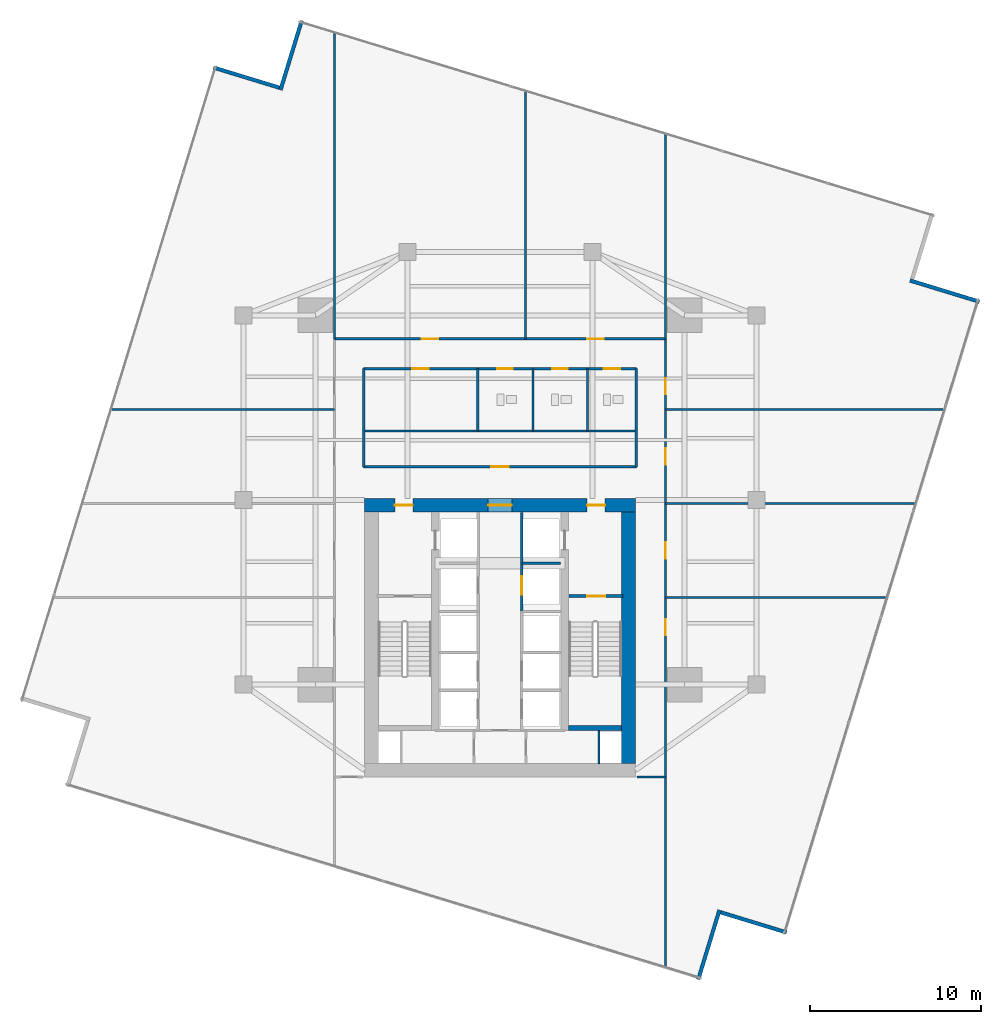
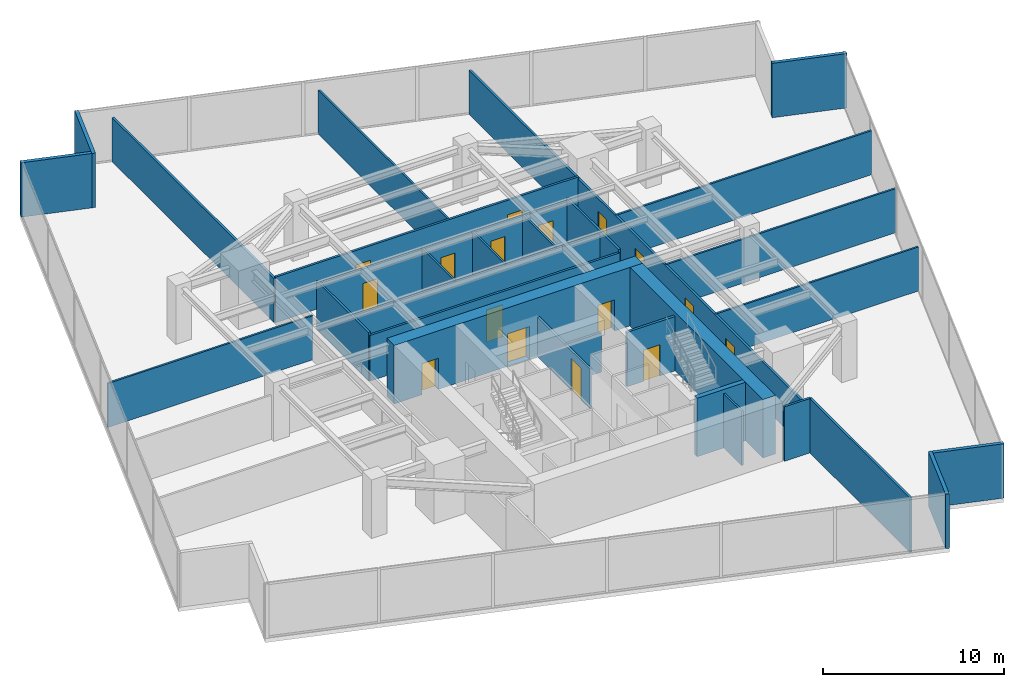
# One storey, part 23 of 26: 31 walls, 16 doors, 16 openings.
"""IFC4 building model written with IfcOpenShell, lengths in metres."""

from ifc_helpers import new_model, si_unit, direction, frame, frame_2d, origin, place, context, subcontext, project, spatial, rectangle, extrude, material, layer, layer_set, type_object, element, fill, save


model = new_model("IFC4")

# Units and contexts
model_context = context("Model", 3, precision=1e-05, world=origin(), true_north=direction((0.0, 1.0)))
body_context = subcontext(model_context, "Body", "Model", "MODEL_VIEW")
ifc_project = project(units=[si_unit("LENGTHUNIT", "METRE"), si_unit("AREAUNIT", "SQUARE_METRE"), si_unit("VOLUMEUNIT", "CUBIC_METRE"), si_unit("PLANEANGLEUNIT", "RADIAN"), si_unit("MASSUNIT", "GRAM", prefix="KILO")], contexts=[model_context])

# Site, building, storey
site_placement = place(None, origin())
site = spatial("IfcSite", under=ifc_project, at=site_placement, CompositionType="ELEMENT")
building_placement = place(site_placement, origin())
building = spatial("IfcBuilding", under=site, at=building_placement, Name="Krantzveldt Concourse Tower", CompositionType="ELEMENT")
storey_placement = place(building_placement, frame((0.0, 0.0, 109.800048828125)))
storey = spatial("IfcBuildingStorey", under=building, at=storey_placement, Name="L26", CompositionType="ELEMENT", Elevation=109.800048828125)

# Walls
ifc_material_1 = material(Name="Anodised aluminium 6063-T6", Category="aluminium")
ifc_layer_1 = layer(ifc_material_1, 0.219970703125, Name="Anodised aluminium 6063-T6", Category="aluminium")
ifc_layer_set_1 = layer_set([ifc_layer_1], Name="Anodised aluminium 6063-T6 (WL-EXT-NOTCH220)")
wall_type_1 = type_object("IfcWallType", Name="WL-EXT-NOTCH220", PredefinedType="ELEMENTEDWALL", material=ifc_layer_set_1)
wall_1_placement = place(storey_placement, frame((23.087646484375, 50.819091796875, 0.0), z_axis=(0.0, 0.0, 1.0), x_axis=(-0.956307298529, 0.292363388235, 0.0)))
element("IfcWall", 1, at=wall_1_placement, inside=storey, type_object=wall_type_1, Name="EW-L26-NCH00", PredefinedType="ELEMENTEDWALL", context=body_context, shape_type="SweptSolid", body=[
    extrude(rectangle(XDim=4.02490234375, YDim=0.219970703125, at=frame_2d((2.012451171875, 0.0))), origin(), (0.0, 0.0, 1.0), 3.669921875),
])
wall_2_placement = place(storey_placement, frame((47.598388671875, -1.34130859375, 0.0), z_axis=(0.0, 0.0, 1.0), x_axis=(0.292335425197, 0.956315846975, 0.0)))
element("IfcWall", 2, at=wall_2_placement, inside=storey, type_object=wall_type_1, Name="EW-L26-NCH05", PredefinedType="ELEMENTEDWALL", context=body_context, shape_type="SweptSolid", body=[
    extrude(rectangle(XDim=4.2451171875, YDim=0.219970703125, at=frame_2d((2.12255859375, 0.0))), origin(), (0.0, 0.0, 1.0), 3.669921875),
])
wall_3_placement = place(storey_placement, frame((48.912353515625, 2.580810546875, 0.0), z_axis=(0.0, 0.0, 1.0), x_axis=(0.956307298529, -0.292363388235, 0.0)))
element("IfcWall", 3, at=wall_3_placement, inside=storey, type_object=wall_type_1, Name="EW-L26-NCH06", PredefinedType="ELEMENTEDWALL", context=body_context, shape_type="SweptSolid", body=[
    extrude(rectangle(XDim=4.02490234375, YDim=0.219970703125, at=frame_2d((2.012451171875, 0.0))), origin(), (0.0, 0.0, 1.0), 3.669921875),
])
wall_4_placement = place(storey_placement, frame((64.041259765625, 38.29833984375, 0.0), z_axis=(0.0, 0.0, 1.0), x_axis=(-0.95629976735, 0.292388021242, 0.0)))
element("IfcWall", 4, at=wall_4_placement, inside=storey, type_object=wall_type_1, Name="EW-L26-NCH08", PredefinedType="ELEMENTEDWALL", context=body_context, shape_type="SweptSolid", body=[
    extrude(rectangle(XDim=4.2451171875, YDim=0.219970703125, at=frame_2d((2.12255859375, 0.0))), origin(), (0.0, 0.0, 1.0), 3.669921875),
])
wall_5_placement = place(storey_placement, frame((24.401611328125, 54.7412109375, 0.0), z_axis=(0.0, 0.0, 1.0), x_axis=(-0.292351504488, -0.956310931561, 0.0)))
element("IfcWall", 5, at=wall_5_placement, inside=storey, type_object=wall_type_1, Name="EW-L26-NCH11", PredefinedType="ELEMENTEDWALL", context=body_context, shape_type="SweptSolid", body=[
    extrude(rectangle(XDim=4.244873046875, YDim=0.219970703125, at=frame_2d((2.12255859375, 0.0))), origin(), (0.0, 0.0, 1.0), 3.669921875),
])
ifc_material_2 = material(Name="Fire-rated gypsum plasterboard on steel stud", Category="steel")
ifc_layer_2 = layer(ifc_material_2, 0.1201171875, Name="Fire-rated gypsum plasterboard on steel stud", Category="steel")
ifc_layer_set_2 = layer_set([ifc_layer_2], Name="Fire-rated gypsum plasterboard on steel stud (WL-PART-120)")
wall_type_2 = type_object("IfcWallType", Name="WL-PART-120", PredefinedType="PARTITIONING", material=ifc_layer_set_2)
wall_6_placement = place(storey_placement, frame((28.02001953125, 30.739990234375, 0.0), z_axis=(0.0, 0.0, 1.0), x_axis=(1.0, 0.0, 0.0)))
element("IfcWall", 6, at=wall_6_placement, inside=storey, type_object=wall_type_2, Name="WP-L26-ISLM", PredefinedType="PARTITIONING", context=body_context, shape_type="SweptSolid", body=[
    extrude(rectangle(XDim=15.9599609375, YDim=0.1201171875, at=frame_2d((7.97998046875, 0.0))), origin(), (0.0, 0.0, 1.0), 3.079833984375),
])
for number, where, z_axis, x_axis, name in (
    (7, (37.919921875, 30.739990234375, 0.0), (0.0, 0.0, 1.0), (0.0, 1.0, 0.0), "WP-L26-WCD1"),
    (8, (41.1201171875, 30.739990234375, 0.0), (0.0, 0.0, 1.0), (0.0, 1.0, 0.0), "WP-L26-WCD2"),
    (9, (34.699951171875, 30.739990234375, 0.0), (0.0, 0.0, 1.0), (0.0, 1.0, 0.0), "WP-L26-WCD3"),
):
    element("IfcWall", number, at=place(storey_placement, frame(where, z_axis=z_axis, x_axis=x_axis)), inside=storey, type_object=wall_type_2, Name=name, PredefinedType="PARTITIONING", context=body_context, shape_type="SweptSolid", body=[
        extrude(rectangle(XDim=3.639892578125, YDim=0.1201171875, at=frame_2d((1.81982421875, 0.0))), origin(), (0.0, 0.0, 1.0), 3.169921875),
    ])
wall_7_placement = place(storey_placement, frame((37.5, 36.1201171875, 0.0), z_axis=(0.0, 0.0, 1.0), x_axis=(0.0, 1.0, 0.0)))
element("IfcWall", 10, at=wall_7_placement, inside=storey, type_object=wall_type_2, Name="WP-L26-ND1", PredefinedType="PARTITIONING", context=body_context, shape_type="SweptSolid", body=[
    extrude(rectangle(XDim=14.496337890625, YDim=0.1201171875, at=frame_2d((7.248046875, 0.0))), origin(), (0.0, 0.0, 1.0), 2.969970703125),
])
wall_8_placement = place(storey_placement, frame((13.245361328125, 32.0, 0.0), z_axis=(0.0, 0.0, 1.0), x_axis=(1.0, 0.0, 0.0)))
element("IfcWall", 11, at=wall_8_placement, inside=storey, type_object=wall_type_2, Name="WP-L26-WD3", PredefinedType="PARTITIONING", context=body_context, shape_type="SweptSolid", body=[
    extrude(rectangle(XDim=13.07470703125, YDim=0.1201171875, at=frame_2d((6.537353515625, 0.0))), origin(), (0.0, 0.0, 1.0), 2.969970703125),
])
wall_9_placement = place(storey_placement, frame((45.679931640625, 21.0, 0.0), z_axis=(0.0, 0.0, 1.0), x_axis=(1.0, 0.0, 0.0)))
element("IfcWall", 12, at=wall_9_placement, inside=storey, type_object=wall_type_2, Name="WP-L26-ED1", PredefinedType="PARTITIONING", context=body_context, shape_type="SweptSolid", body=[
    extrude(rectangle(XDim=12.952392578125, YDim=0.1201171875, at=frame_2d((6.47607421875, 0.0))), origin(), (0.0, 0.0, 1.0), 2.969970703125),
])
wall_10_placement = place(storey_placement, frame((45.679931640625, 26.5, 0.0), z_axis=(0.0, 0.0, 1.0), x_axis=(1.0, 0.0, 0.0)))
element("IfcWall", 13, at=wall_10_placement, inside=storey, type_object=wall_type_2, Name="WP-L26-ED2", PredefinedType="PARTITIONING", context=body_context, shape_type="SweptSolid", body=[
    extrude(rectangle(XDim=14.634033203125, YDim=0.1201171875, at=frame_2d((7.31689453125, 0.0))), origin(), (0.0, 0.0, 1.0), 2.969970703125),
])
wall_11_placement = place(storey_placement, frame((45.679931640625, 32.0, 0.0), z_axis=(0.0, 0.0, 1.0), x_axis=(1.0, 0.0, 0.0)))
element("IfcWall", 14, at=wall_11_placement, inside=storey, type_object=wall_type_2, Name="WP-L26-ED3", PredefinedType="PARTITIONING", context=body_context, shape_type="SweptSolid", body=[
    extrude(rectangle(XDim=16.3154296875, YDim=0.1201171875, at=frame_2d((8.15771484375, 0.0))), origin(), (0.0, 0.0, 1.0), 2.969970703125),
])

# Wall, opening, door
ifc_layer_3 = layer(ifc_material_2, 0.139892578125, Name="Fire-rated gypsum plasterboard on steel stud", Category="steel")
ifc_layer_set_3 = layer_set([ifc_layer_3], Name="Fire-rated gypsum plasterboard on steel stud (WL-PART-140)")
wall_type_3 = type_object("IfcWallType", Name="WL-PART-140", PredefinedType="PARTITIONING", material=ifc_layer_set_3)
wall_12_placement = place(storey_placement, frame((28.02001953125, 28.639892578125, 0.0), z_axis=(0.0, 0.0, 1.0), x_axis=(1.0, 0.0, 0.0)))
wall_12 = element("IfcWall", 15, at=wall_12_placement, inside=storey, type_object=wall_type_3, Name="WP-L26-ISLS", PredefinedType="PARTITIONING", context=body_context, shape_type="SweptSolid", body=[
    extrude(rectangle(XDim=15.9599609375, YDim=0.139892578125, at=frame_2d((7.97998046875, 0.0))), origin(), (0.0, 0.0, 1.0), 3.079833984375),
])
opening_1_placement = place(wall_12_placement, frame((7.455078125, 0.0, 0.0)))
opening_1 = element("IfcOpeningElement", 16, at=opening_1_placement, cuts=wall_12, Name="Opening D-IN105", PredefinedType="OPENING", context=body_context, shape_type="SweptSolid", body=[
    extrude(rectangle(XDim=1.050048828125, YDim=2.14990234375, at=frame_2d((0.52490234375, 1.074951171875))), frame((0.0, 0.080078125, 0.0), z_axis=(0.0, -1.0, 0.0), x_axis=(1.0, 0.0, 0.0)), (0.0, 0.0, 1.0), 0.159912109375),
])
ifc_material_3 = material(Name="Hardwood timber", Category="wood")
door_type_1 = type_object("IfcDoorType", Name="DR-INT-1050", OperationType="SINGLE_SWING_LEFT", PredefinedType="DOOR", material=ifc_material_3)
door_1_placement = place(opening_1_placement, origin())
door_1 = element("IfcDoor", 17, at=door_1_placement, inside=storey, type_object=door_type_1, Name="DR-L26-MIDB", OperationType="SINGLE_SWING_LEFT", OverallHeight=2.14990234375, OverallWidth=1.050048828125, PredefinedType="DOOR", context=body_context, shape_type="SweptSolid", body=[
    extrude(rectangle(XDim=1.050048828125, YDim=2.14990234375, at=frame_2d((0.52490234375, 1.074951171875))), frame((0.0, 0.02490234375, 0.0), z_axis=(0.0, -1.0, 0.0), x_axis=(1.0, 0.0, 0.0)), (0.0, 0.0, 1.0), 0.050048828125),
])
fill(opening_1, door_1)

# Wall, openings, doors
wall_13_placement = place(storey_placement, frame((28.02001953125, 34.3798828125, 0.0), z_axis=(0.0, 0.0, 1.0), x_axis=(1.0, 0.0, 0.0)))
wall_13 = element("IfcWall", 18, at=wall_13_placement, inside=storey, type_object=wall_type_3, Name="WP-L26-ISLN", PredefinedType="PARTITIONING", context=body_context, shape_type="SweptSolid", body=[
    extrude(rectangle(XDim=15.9599609375, YDim=0.139892578125, at=frame_2d((7.97998046875, 0.0))), origin(), (0.0, 0.0, 1.0), 3.079833984375),
])
opening_2_placement = place(wall_13_placement, frame((7.830078125, 0.0, 0.0)))
opening_2 = element("IfcOpeningElement", 19, at=opening_2_placement, cuts=wall_13, Name="Opening D-IN090", PredefinedType="OPENING", context=body_context, shape_type="SweptSolid", body=[
    extrude(rectangle(XDim=0.89990234375, YDim=2.10009765625, at=frame_2d((0.449951171875, 1.050048828125))), frame((0.0, 0.080078125, 0.0), z_axis=(0.0, -1.0, 0.0), x_axis=(1.0, 0.0, 0.0)), (0.0, 0.0, 1.0), 0.159912109375),
])
opening_3_placement = place(wall_13_placement, frame((11.030029296875, 0.0, 0.0)))
opening_3 = element("IfcOpeningElement", 20, at=opening_3_placement, cuts=wall_13, Name="Opening D-IN090", PredefinedType="OPENING", context=body_context, shape_type="SweptSolid", body=[
    extrude(rectangle(XDim=0.89990234375, YDim=2.10009765625, at=frame_2d((0.449951171875, 1.050048828125))), frame((0.0, 0.080078125, 0.0), z_axis=(0.0, -1.0, 0.0), x_axis=(1.0, 0.0, 0.0)), (0.0, 0.0, 1.0), 0.159912109375),
])
opening_4_placement = place(wall_13_placement, frame((14.054931640625, 0.0, 0.0)))
opening_4 = element("IfcOpeningElement", 21, at=opening_4_placement, cuts=wall_13, Name="Opening D-IN095", PredefinedType="OPENING", context=body_context, shape_type="SweptSolid", body=[
    extrude(rectangle(XDim=0.949951171875, YDim=2.10009765625, at=frame_2d((0.47509765625, 1.050048828125))), frame((0.0, 0.080078125, 0.0), z_axis=(0.0, -1.0, 0.0), x_axis=(1.0, 0.0, 0.0)), (0.0, 0.0, 1.0), 0.159912109375),
])
opening_5_placement = place(wall_13_placement, frame((2.85498046875, 0.0, 0.0)))
opening_5 = element("IfcOpeningElement", 22, at=opening_5_placement, cuts=wall_13, Name="Opening D-IN095", PredefinedType="OPENING", context=body_context, shape_type="SweptSolid", body=[
    extrude(rectangle(XDim=0.949951171875, YDim=2.10009765625, at=frame_2d((0.47509765625, 1.050048828125))), frame((0.0, 0.080078125, 0.0), z_axis=(0.0, -1.0, 0.0), x_axis=(1.0, 0.0, 0.0)), (0.0, 0.0, 1.0), 0.159912109375),
])
door_type_2 = type_object("IfcDoorType", Name="DR-INT-900", OperationType="SINGLE_SWING_LEFT", PredefinedType="DOOR", material=ifc_material_3)
door_2_placement = place(opening_2_placement, origin())
door_2 = element("IfcDoor", 23, at=door_2_placement, inside=storey, type_object=door_type_2, Name="DR-L26-WCM", OperationType="SINGLE_SWING_LEFT", OverallHeight=2.10009765625, OverallWidth=0.89990234375, PredefinedType="DOOR", context=body_context, shape_type="SweptSolid", body=[
    extrude(rectangle(XDim=0.89990234375, YDim=2.10009765625, at=frame_2d((0.449951171875, 1.050048828125))), frame((0.0, 0.02490234375, 0.0), z_axis=(0.0, -1.0, 0.0), x_axis=(1.0, 0.0, 0.0)), (0.0, 0.0, 1.0), 0.050048828125),
])
fill(opening_2, door_2)
door_3_placement = place(opening_3_placement, origin())
door_3 = element("IfcDoor", 24, at=door_3_placement, inside=storey, type_object=door_type_2, Name="DR-L26-WCF", OperationType="SINGLE_SWING_RIGHT", OverallHeight=2.10009765625, OverallWidth=0.89990234375, PredefinedType="DOOR", context=body_context, shape_type="SweptSolid", body=[
    extrude(rectangle(XDim=0.89990234375, YDim=2.10009765625, at=frame_2d((0.449951171875, 1.050048828125))), frame((0.0, 0.02490234375, 0.0), z_axis=(0.0, -1.0, 0.0), x_axis=(1.0, 0.0, 0.0)), (0.0, 0.0, 1.0), 0.050048828125),
])
fill(opening_3, door_3)
door_type_3 = type_object("IfcDoorType", Name="DR-INT-950", OperationType="SINGLE_SWING_LEFT", PredefinedType="DOOR", material=ifc_material_3)
door_4_placement = place(opening_4_placement, origin())
door_4 = element("IfcDoor", 25, at=door_4_placement, inside=storey, type_object=door_type_3, Name="DR-L26-WCA", OperationType="SINGLE_SWING_LEFT", OverallHeight=2.10009765625, OverallWidth=0.949951171875, PredefinedType="DOOR", context=body_context, shape_type="SweptSolid", body=[
    extrude(rectangle(XDim=0.949951171875, YDim=2.10009765625, at=frame_2d((0.47509765625, 1.050048828125))), frame((0.0, 0.02490234375, 0.0), z_axis=(0.0, -1.0, 0.0), x_axis=(1.0, 0.0, 0.0)), (0.0, 0.0, 1.0), 0.050048828125),
])
fill(opening_4, door_4)
door_5_placement = place(opening_5_placement, origin())
door_5 = element("IfcDoor", 26, at=door_5_placement, inside=storey, type_object=door_type_3, Name="DR-L26-PNT", OperationType="SINGLE_SWING_RIGHT", OverallHeight=2.10009765625, OverallWidth=0.949951171875, PredefinedType="DOOR", context=body_context, shape_type="SweptSolid", body=[
    extrude(rectangle(XDim=0.949951171875, YDim=2.10009765625, at=frame_2d((0.47509765625, 1.050048828125))), frame((0.0, 0.02490234375, 0.0), z_axis=(0.0, -1.0, 0.0), x_axis=(1.0, 0.0, 0.0)), (0.0, 0.0, 1.0), 0.050048828125),
])
fill(opening_5, door_5)

# Walls
for number, where, z_axis, x_axis, name in (
    (27, (28.02001953125, 28.639892578125, 0.0), (0.0, 0.0, 1.0), (0.0, 1.0, 0.0), "WP-L26-ISLW"),
    (28, (43.97998046875, 28.639892578125, 0.0), (0.0, 0.0, 1.0), (0.0, 1.0, 0.0), "WP-L26-ISLE"),
):
    element("IfcWall", number, at=place(storey_placement, frame(where, z_axis=z_axis, x_axis=x_axis)), inside=storey, type_object=wall_type_3, Name=name, PredefinedType="PARTITIONING", context=body_context, shape_type="SweptSolid", body=[
        extrude(rectangle(XDim=5.739990234375, YDim=0.139892578125, at=frame_2d((2.8701171875, 0.0))), origin(), (0.0, 0.0, 1.0), 3.27001953125),
    ])

# Wall, openings, doors
wall_14_placement = place(storey_placement, frame((26.320068359375, 36.1201171875, 0.0), z_axis=(0.0, 0.0, 1.0), x_axis=(1.0, 0.0, 0.0)))
wall_14 = element("IfcWall", 29, at=wall_14_placement, inside=storey, type_object=wall_type_3, Name="WP-L26-CTOP", PredefinedType="PARTITIONING", context=body_context, shape_type="SweptSolid", body=[
    extrude(rectangle(XDim=19.35986328125, YDim=0.139892578125, at=frame_2d((9.679931640625, 0.0))), origin(), (0.0, 0.0, 1.0), 3.079833984375),
])
opening_6_placement = place(wall_14_placement, frame((5.114990234375, 0.0, 0.0)))
opening_6 = element("IfcOpeningElement", 30, at=opening_6_placement, cuts=wall_14, Name="Opening D-IN095", PredefinedType="OPENING", context=body_context, shape_type="SweptSolid", body=[
    extrude(rectangle(XDim=0.949951171875, YDim=2.10009765625, at=frame_2d((0.47509765625, 1.050048828125))), frame((0.0, 0.080078125, 0.0), z_axis=(0.0, -1.0, 0.0), x_axis=(1.0, 0.0, 0.0)), (0.0, 0.0, 1.0), 0.159912109375),
])
opening_7_placement = place(wall_14_placement, frame((14.794921875, 0.0, 0.0)))
opening_7 = element("IfcOpeningElement", 31, at=opening_7_placement, cuts=wall_14, Name="Opening D-IN095", PredefinedType="OPENING", context=body_context, shape_type="SweptSolid", body=[
    extrude(rectangle(XDim=0.949951171875, YDim=2.10009765625, at=frame_2d((0.47509765625, 1.050048828125))), frame((0.0, 0.080078125, 0.0), z_axis=(0.0, -1.0, 0.0), x_axis=(1.0, 0.0, 0.0)), (0.0, 0.0, 1.0), 0.159912109375),
])
door_6_placement = place(opening_6_placement, origin())
door_6 = element("IfcDoor", 32, at=door_6_placement, inside=storey, type_object=door_type_3, Name="DR-L26-NR1", OperationType="SINGLE_SWING_LEFT", OverallHeight=2.10009765625, OverallWidth=0.949951171875, PredefinedType="DOOR", context=body_context, shape_type="SweptSolid", body=[
    extrude(rectangle(XDim=0.949951171875, YDim=2.10009765625, at=frame_2d((0.47509765625, 1.050048828125))), frame((0.0, 0.02490234375, 0.0), z_axis=(0.0, -1.0, 0.0), x_axis=(1.0, 0.0, 0.0)), (0.0, 0.0, 1.0), 0.050048828125),
])
fill(opening_6, door_6)
door_7_placement = place(opening_7_placement, origin())
door_7 = element("IfcDoor", 33, at=door_7_placement, inside=storey, type_object=door_type_3, Name="DR-L26-NR2", OperationType="SINGLE_SWING_LEFT", OverallHeight=2.10009765625, OverallWidth=0.949951171875, PredefinedType="DOOR", context=body_context, shape_type="SweptSolid", body=[
    extrude(rectangle(XDim=0.949951171875, YDim=2.10009765625, at=frame_2d((0.47509765625, 1.050048828125))), frame((0.0, 0.02490234375, 0.0), z_axis=(0.0, -1.0, 0.0), x_axis=(1.0, 0.0, 0.0)), (0.0, 0.0, 1.0), 0.050048828125),
])
fill(opening_7, door_7)

wall_15_placement = place(storey_placement, frame((45.679931640625, 10.5, 0.0), z_axis=(0.0, 0.0, 1.0), x_axis=(0.0, 1.0, 0.0)))
wall_15 = element("IfcWall", 34, at=wall_15_placement, inside=storey, type_object=wall_type_3, Name="WP-L26-CEAST", PredefinedType="PARTITIONING", context=body_context, shape_type="SweptSolid", body=[
    extrude(rectangle(XDim=25.6201171875, YDim=0.139892578125, at=frame_2d((12.81005859375, 0.0))), origin(), (0.0, 0.0, 1.0), 2.969970703125),
])
opening_8_placement = place(wall_15_placement, frame((8.27490234375, 0.0, 0.0)))
opening_8 = element("IfcOpeningElement", 35, at=opening_8_placement, cuts=wall_15, Name="Opening D-IN095", PredefinedType="OPENING", context=body_context, shape_type="SweptSolid", body=[
    extrude(rectangle(XDim=0.949951171875, YDim=2.10009765625, at=frame_2d((0.47509765625, 1.050048828125))), frame((0.0, 0.080078125, 0.0), z_axis=(0.0, -1.0, 0.0), x_axis=(1.0, 0.0, 0.0)), (0.0, 0.0, 1.0), 0.159912109375),
])
opening_9_placement = place(wall_15_placement, frame((12.77490234375, 0.0, 0.0)))
opening_9 = element("IfcOpeningElement", 36, at=opening_9_placement, cuts=wall_15, Name="Opening D-IN095", PredefinedType="OPENING", context=body_context, shape_type="SweptSolid", body=[
    extrude(rectangle(XDim=0.949951171875, YDim=2.10009765625, at=frame_2d((0.47509765625, 1.050048828125))), frame((0.0, 0.080078125, 0.0), z_axis=(0.0, -1.0, 0.0), x_axis=(1.0, 0.0, 0.0)), (0.0, 0.0, 1.0), 0.159912109375),
])
opening_10_placement = place(wall_15_placement, frame((18.27490234375, 0.0, 0.0)))
opening_10 = element("IfcOpeningElement", 37, at=opening_10_placement, cuts=wall_15, Name="Opening D-IN095", PredefinedType="OPENING", context=body_context, shape_type="SweptSolid", body=[
    extrude(rectangle(XDim=0.949951171875, YDim=2.10009765625, at=frame_2d((0.47509765625, 1.050048828125))), frame((0.0, 0.080078125, 0.0), z_axis=(0.0, -1.0, 0.0), x_axis=(1.0, 0.0, 0.0)), (0.0, 0.0, 1.0), 0.159912109375),
])
opening_11_placement = place(wall_15_placement, frame((22.375, 0.0, 0.0)))
opening_11 = element("IfcOpeningElement", 38, at=opening_11_placement, cuts=wall_15, Name="Opening D-IN095", PredefinedType="OPENING", context=body_context, shape_type="SweptSolid", body=[
    extrude(rectangle(XDim=0.949951171875, YDim=2.10009765625, at=frame_2d((0.47509765625, 1.050048828125))), frame((0.0, 0.080078125, 0.0), z_axis=(0.0, -1.0, 0.0), x_axis=(1.0, 0.0, 0.0)), (0.0, 0.0, 1.0), 0.159912109375),
])
door_8_placement = place(opening_8_placement, origin())
door_8 = element("IfcDoor", 39, at=door_8_placement, inside=storey, type_object=door_type_3, Name="DR-L26-ER1", OperationType="SINGLE_SWING_LEFT", OverallHeight=2.10009765625, OverallWidth=0.949951171875, PredefinedType="DOOR", context=body_context, shape_type="SweptSolid", body=[
    extrude(rectangle(XDim=0.949951171875, YDim=2.10009765625, at=frame_2d((0.47509765625, 1.050048828125))), frame((0.0, 0.02490234375, 0.0), z_axis=(0.0, -1.0, 0.0), x_axis=(1.0, 0.0, 0.0)), (0.0, 0.0, 1.0), 0.050048828125),
])
fill(opening_8, door_8)
door_9_placement = place(opening_9_placement, origin())
door_9 = element("IfcDoor", 40, at=door_9_placement, inside=storey, type_object=door_type_3, Name="DR-L26-ER2", OperationType="SINGLE_SWING_LEFT", OverallHeight=2.10009765625, OverallWidth=0.949951171875, PredefinedType="DOOR", context=body_context, shape_type="SweptSolid", body=[
    extrude(rectangle(XDim=0.949951171875, YDim=2.10009765625, at=frame_2d((0.47509765625, 1.050048828125))), frame((0.0, 0.02490234375, 0.0), z_axis=(0.0, -1.0, 0.0), x_axis=(1.0, 0.0, 0.0)), (0.0, 0.0, 1.0), 0.050048828125),
])
fill(opening_9, door_9)
door_10_placement = place(opening_10_placement, origin())
door_10 = element("IfcDoor", 41, at=door_10_placement, inside=storey, type_object=door_type_3, Name="DR-L26-ER3", OperationType="SINGLE_SWING_LEFT", OverallHeight=2.10009765625, OverallWidth=0.949951171875, PredefinedType="DOOR", context=body_context, shape_type="SweptSolid", body=[
    extrude(rectangle(XDim=0.949951171875, YDim=2.10009765625, at=frame_2d((0.47509765625, 1.050048828125))), frame((0.0, 0.02490234375, 0.0), z_axis=(0.0, -1.0, 0.0), x_axis=(1.0, 0.0, 0.0)), (0.0, 0.0, 1.0), 0.050048828125),
])
fill(opening_10, door_10)
door_11_placement = place(opening_11_placement, origin())
door_11 = element("IfcDoor", 42, at=door_11_placement, inside=storey, type_object=door_type_3, Name="DR-L26-ER4", OperationType="SINGLE_SWING_LEFT", OverallHeight=2.10009765625, OverallWidth=0.949951171875, PredefinedType="DOOR", context=body_context, shape_type="SweptSolid", body=[
    extrude(rectangle(XDim=0.949951171875, YDim=2.10009765625, at=frame_2d((0.47509765625, 1.050048828125))), frame((0.0, 0.02490234375, 0.0), z_axis=(0.0, -1.0, 0.0), x_axis=(1.0, 0.0, 0.0)), (0.0, 0.0, 1.0), 0.050048828125),
])
fill(opening_11, door_11)

# Walls
wall_16_placement = place(storey_placement, frame((44.0, 10.5, 0.0), z_axis=(0.0, 0.0, 1.0), x_axis=(1.0, 0.0, 0.0)))
element("IfcWall", 43, at=wall_16_placement, inside=storey, type_object=wall_type_3, Name="WP-L26-CEBOT", PredefinedType="PARTITIONING", context=body_context, shape_type="SweptSolid", body=[
    extrude(rectangle(XDim=1.679931640625, YDim=0.139892578125, at=frame_2d((0.83984375, 0.0))), origin(), (0.0, 0.0, 1.0), 3.669921875),
])
wall_17_placement = place(storey_placement, frame((26.320068359375, 36.1201171875, 0.0), z_axis=(0.0, 0.0, 1.0), x_axis=(0.0, 1.0, 0.0)))
element("IfcWall", 44, at=wall_17_placement, inside=storey, type_object=wall_type_3, Name="WP-L26-NWL", PredefinedType="PARTITIONING", context=body_context, shape_type="SweptSolid", body=[
    extrude(rectangle(XDim=17.914306640625, YDim=0.139892578125, at=frame_2d((8.95703125, 0.0))), origin(), (0.0, 0.0, 1.0), 2.969970703125),
])
wall_18_placement = place(storey_placement, frame((45.679931640625, 36.1201171875, 0.0), z_axis=(0.0, 0.0, 1.0), x_axis=(0.0, 1.0, 0.0)))
element("IfcWall", 45, at=wall_18_placement, inside=storey, type_object=wall_type_3, Name="WP-L26-NER", PredefinedType="PARTITIONING", context=body_context, shape_type="SweptSolid", body=[
    extrude(rectangle(XDim=11.995361328125, YDim=0.139892578125, at=frame_2d((5.99755859375, 0.0))), origin(), (0.0, 0.0, 1.0), 2.969970703125),
])
wall_19_placement = place(storey_placement, frame((45.679931640625, -0.634521484375, 0.0), z_axis=(0.0, 0.0, 1.0), x_axis=(0.0, 1.0, 0.0)))
element("IfcWall", 46, at=wall_19_placement, inside=storey, type_object=wall_type_3, Name="WP-L26-SER", PredefinedType="PARTITIONING", context=body_context, shape_type="SweptSolid", body=[
    extrude(rectangle(XDim=11.134521484375, YDim=0.139892578125, at=frame_2d((5.5673828125, 0.0))), origin(), (0.0, 0.0, 1.0), 3.669921875),
])

# Wall, opening, door
ifc_layer_4 = layer(ifc_material_2, 0.139892578125, Name="Fire-rated gypsum plasterboard on steel stud", Category="steel")
ifc_layer_set_4 = layer_set([ifc_layer_4], Name="Fire-rated gypsum plasterboard on steel stud (WL-PART-FR140)")
wall_type_4 = type_object("IfcWallType", Name="WL-PART-FR140", PredefinedType="PARTITIONING", material=ifc_layer_set_4)
wall_20_placement = place(storey_placement, frame((37.280029296875, 20.199951171875, 0.0), z_axis=(0.0, 0.0, 1.0), x_axis=(0.0, 1.0, 0.0)))
wall_20 = element("IfcWall", 47, at=wall_20_placement, inside=storey, type_object=wall_type_4, Name="WP-L26-SHNE", PredefinedType="PARTITIONING", context=body_context, shape_type="SweptSolid", body=[
    extrude(rectangle(XDim=5.780029296875, YDim=0.139892578125, at=frame_2d((2.89013671875, 0.0))), origin(), (0.0, 0.0, 1.0), 2.669921875),
])
opening_12_placement = place(wall_20_placement, frame((0.949951171875, 0.0, 0.0)))
opening_12 = element("IfcOpeningElement", 48, at=opening_12_placement, cuts=wall_20, Name="Opening LD", PredefinedType="OPENING", context=body_context, shape_type="SweptSolid", body=[
    extrude(rectangle(XDim=1.10009765625, YDim=2.14990234375, at=frame_2d((0.550048828125, 1.074951171875))), frame((0.0, 0.080078125, 0.0), z_axis=(0.0, -1.0, 0.0), x_axis=(1.0, 0.0, 0.0)), (0.0, 0.0, 1.0), 0.159912109375),
])
ifc_material_4 = material(Name="Stainless steel 316L", Category="steel")
door_type_4 = type_object("IfcDoorType", Name="DR-SLIDE-LD1100", OperationType="DOUBLE_DOOR_SLIDING", PredefinedType="DOOR", material=ifc_material_4)
door_12_placement = place(opening_12_placement, origin())
door_12 = element("IfcDoor", 49, at=door_12_placement, inside=storey, type_object=door_type_4, Name="LD-L26-GL1", OperationType="DOUBLE_DOOR_SLIDING", OverallHeight=2.14990234375, OverallWidth=1.10009765625, PredefinedType="DOOR", context=body_context, shape_type="SweptSolid", body=[
    extrude(rectangle(XDim=1.10009765625, YDim=2.14990234375, at=frame_2d((0.550048828125, 1.074951171875))), frame((0.0, 0.02490234375, 0.0), z_axis=(0.0, -1.0, 0.0), x_axis=(1.0, 0.0, 0.0)), (0.0, 0.0, 1.0), 0.050048828125),
])
fill(opening_12, door_12)

# Walls
wall_21_placement = place(storey_placement, frame((37.280029296875, 23.0, 0.0), z_axis=(0.0, 0.0, 1.0), x_axis=(1.0, 0.0, 0.0)))
element("IfcWall", 50, at=wall_21_placement, inside=storey, type_object=wall_type_4, Name="WP-L26-GLH", PredefinedType="PARTITIONING", context=body_context, shape_type="SweptSolid", body=[
    extrude(rectangle(XDim=2.27001953125, YDim=0.139892578125, at=frame_2d((1.135009765625, 0.0))), origin(), (0.0, 0.0, 1.0), 2.669921875),
])
wall_22_placement = place(storey_placement, frame((41.780029296875, 11.25, 0.0), z_axis=(0.0, 0.0, 1.0), x_axis=(0.0, 1.0, 0.0)))
element("IfcWall", 51, at=wall_22_placement, inside=storey, type_object=wall_type_4, Name="WP-L26-RSE", PredefinedType="PARTITIONING", context=body_context, shape_type="SweptSolid", body=[
    extrude(rectangle(XDim=1.969970703125, YDim=0.1201171875, at=frame_2d((0.98486328125, 0.0))), origin(), (0.0, 0.0, 1.0), 3.669921875),
])

# Wall, opening, door
ifc_layer_5 = layer(ifc_material_2, 0.159912109375, Name="Fire-rated gypsum plasterboard on steel stud", Category="steel")
ifc_layer_set_5 = layer_set([ifc_layer_5], Name="Fire-rated gypsum plasterboard on steel stud (WL-PART-FR160)")
wall_type_5 = type_object("IfcWallType", Name="WL-PART-FR160", PredefinedType="PARTITIONING", material=ifc_layer_set_5)
wall_23_placement = place(storey_placement, frame((40.0400390625, 21.080078125, 0.0), z_axis=(0.0, 0.0, 1.0), x_axis=(1.0, 0.0, 0.0)))
wall_23 = element("IfcWall", 52, at=wall_23_placement, inside=storey, type_object=wall_type_5, Name="WP-L26-ST2", PredefinedType="PARTITIONING", context=body_context, shape_type="SweptSolid", body=[
    extrude(rectangle(XDim=3.159912109375, YDim=0.159912109375, at=frame_2d((1.580078125, 0.0))), origin(), (0.0, 0.0, 1.0), 3.669921875),
])
opening_13_placement = place(wall_23_placement, frame((1.054931640625, 0.0, 0.0)))
opening_13 = element("IfcOpeningElement", 53, at=opening_13_placement, cuts=wall_23, Name="Opening D-FD105", PredefinedType="OPENING", context=body_context, shape_type="SweptSolid", body=[
    extrude(rectangle(XDim=1.050048828125, YDim=2.10009765625, at=frame_2d((0.52490234375, 1.050048828125))), frame((0.0, 0.08984375, 0.0), z_axis=(0.0, -1.0, 0.0), x_axis=(1.0, 0.0, 0.0)), (0.0, 0.0, 1.0), 0.179931640625),
])
ifc_material_5 = material(Name="Galvanised steel", Category="steel")
door_type_5 = type_object("IfcDoorType", Name="DR-FD120-1050", OperationType="SINGLE_SWING_LEFT", PredefinedType="DOOR", material=ifc_material_5)
door_13_placement = place(opening_13_placement, origin())
door_13 = element("IfcDoor", 54, at=door_13_placement, inside=storey, type_object=door_type_5, Name="DR-L26-ST2", OperationType="SINGLE_SWING_LEFT", OverallHeight=2.10009765625, OverallWidth=1.050048828125, PredefinedType="DOOR", context=body_context, shape_type="SweptSolid", body=[
    extrude(rectangle(XDim=1.050048828125, YDim=2.10009765625, at=frame_2d((0.52490234375, 1.050048828125))), frame((0.0, 0.02490234375, 0.0), z_axis=(0.0, -1.0, 0.0), x_axis=(1.0, 0.0, 0.0)), (0.0, 0.0, 1.0), 0.050048828125),
])
fill(opening_13, door_13)

# Wall
ifc_material_6 = material(Name="Concrete C50/60", Category="concrete")
ifc_layer_6 = layer(ifc_material_6, 0.300048828125, Name="Concrete C50/60", Category="concrete")
ifc_layer_set_6 = layer_set([ifc_layer_6], Name="Concrete C50/60 (WL-SHEAR-300)")
wall_type_6 = type_object("IfcWallType", Name="WL-SHEAR-300", PredefinedType="SHEAR", material=ifc_layer_set_6)
wall_24_placement = place(storey_placement, frame((40.02001953125, 13.3701171875, 0.0), z_axis=(0.0, 0.0, 1.0), x_axis=(1.0, 0.0, 0.0)))
element("IfcWall", 55, at=wall_24_placement, inside=storey, type_object=wall_type_6, Name="CW-L26-ST2S", PredefinedType="SHEAR", context=body_context, shape_type="SweptSolid", body=[
    extrude(rectangle(XDim=3.10009765625, YDim=0.300048828125, at=frame_2d((1.550048828125, 0.0))), origin(), (0.0, 0.0, 1.0), 3.949951171875),
])

# Wall, openings, doors
ifc_material_7 = material(Name="Concrete C60/75", Category="concrete")
ifc_layer_7 = layer(ifc_material_7, 0.800048828125, Name="Concrete C60/75", Category="concrete")
ifc_layer_set_7 = layer_set([ifc_layer_7], Name="Concrete C60/75 (WL-SHEAR-800)")
wall_type_7 = type_object("IfcWallType", Name="WL-SHEAR-800", PredefinedType="SHEAR", material=ifc_layer_set_7)
wall_25_placement = place(storey_placement, frame((28.080078125, 26.39990234375, 0.0), z_axis=(0.0, 0.0, 1.0), x_axis=(1.0, 0.0, 0.0)))
wall_25 = element("IfcWall", 56, at=wall_25_placement, inside=storey, type_object=wall_type_7, Name="CW-L26-N", PredefinedType="SHEAR", context=body_context, shape_type="SweptSolid", body=[
    extrude(rectangle(XDim=15.83984375, YDim=0.800048828125, at=frame_2d((7.919921875, 0.0))), origin(), (0.0, 0.0, 1.0), 3.949951171875),
])
opening_14_placement = place(wall_25_placement, frame((7.219970703125, 0.0, 0.0)))
opening_14 = element("IfcOpeningElement", 57, at=opening_14_placement, cuts=wall_25, Name="Opening D-DB140", PredefinedType="OPENING", context=body_context, shape_type="SweptSolid", body=[
    extrude(rectangle(XDim=1.39990234375, YDim=2.199951171875, at=frame_2d((0.699951171875, 1.10009765625))), frame((0.0, 0.41015625, 0.0), z_axis=(0.0, -1.0, 0.0), x_axis=(1.0, 0.0, 0.0)), (0.0, 0.0, 1.0), 0.820068359375),
])
opening_15_placement = place(wall_25_placement, frame((1.77490234375, 0.0, 0.0)))
opening_15 = element("IfcOpeningElement", 58, at=opening_15_placement, cuts=wall_25, Name="Opening D-FD105", PredefinedType="OPENING", context=body_context, shape_type="SweptSolid", body=[
    extrude(rectangle(XDim=1.050048828125, YDim=2.10009765625, at=frame_2d((0.52490234375, 1.050048828125))), frame((0.0, 0.41015625, 0.0), z_axis=(0.0, -1.0, 0.0), x_axis=(1.0, 0.0, 0.0)), (0.0, 0.0, 1.0), 0.820068359375),
])
opening_16_placement = place(wall_25_placement, frame((13.014892578125, 0.0, 0.0)))
opening_16 = element("IfcOpeningElement", 59, at=opening_16_placement, cuts=wall_25, Name="Opening D-FD105", PredefinedType="OPENING", context=body_context, shape_type="SweptSolid", body=[
    extrude(rectangle(XDim=1.050048828125, YDim=2.10009765625, at=frame_2d((0.52490234375, 1.050048828125))), frame((0.0, 0.41015625, 0.0), z_axis=(0.0, -1.0, 0.0), x_axis=(1.0, 0.0, 0.0)), (0.0, 0.0, 1.0), 0.820068359375),
])
door_type_6 = type_object("IfcDoorType", Name="DR-DBL-1400", OperationType="DOUBLE_DOOR_SINGLE_SWING", PredefinedType="DOOR", material=ifc_material_1)
door_14_placement = place(opening_14_placement, origin())
door_14 = element("IfcDoor", 60, at=door_14_placement, inside=storey, type_object=door_type_6, Name="DR-L26-LLB", OperationType="DOUBLE_DOOR_SINGLE_SWING", OverallHeight=2.199951171875, OverallWidth=1.39990234375, PredefinedType="DOOR", context=body_context, shape_type="SweptSolid", body=[
    extrude(rectangle(XDim=1.39990234375, YDim=2.199951171875, at=frame_2d((0.699951171875, 1.10009765625))), frame((0.0, 0.02490234375, 0.0), z_axis=(0.0, -1.0, 0.0), x_axis=(1.0, 0.0, 0.0)), (0.0, 0.0, 1.0), 0.050048828125),
])
fill(opening_14, door_14)
door_15_placement = place(opening_15_placement, origin())
door_15 = element("IfcDoor", 61, at=door_15_placement, inside=storey, type_object=door_type_5, Name="DR-L26-FFL1", OperationType="SINGLE_SWING_LEFT", OverallHeight=2.10009765625, OverallWidth=1.050048828125, PredefinedType="DOOR", context=body_context, shape_type="SweptSolid", body=[
    extrude(rectangle(XDim=1.050048828125, YDim=2.10009765625, at=frame_2d((0.52490234375, 1.050048828125))), frame((0.0, 0.02490234375, 0.0), z_axis=(0.0, -1.0, 0.0), x_axis=(1.0, 0.0, 0.0)), (0.0, 0.0, 1.0), 0.050048828125),
])
fill(opening_15, door_15)
door_16_placement = place(opening_16_placement, origin())
door_16 = element("IfcDoor", 62, at=door_16_placement, inside=storey, type_object=door_type_5, Name="DR-L26-FFL2", OperationType="SINGLE_SWING_RIGHT", OverallHeight=2.10009765625, OverallWidth=1.050048828125, PredefinedType="DOOR", context=body_context, shape_type="SweptSolid", body=[
    extrude(rectangle(XDim=1.050048828125, YDim=2.10009765625, at=frame_2d((0.52490234375, 1.050048828125))), frame((0.0, 0.02490234375, 0.0), z_axis=(0.0, -1.0, 0.0), x_axis=(1.0, 0.0, 0.0)), (0.0, 0.0, 1.0), 0.050048828125),
])
fill(opening_16, door_16)

# Wall
wall_26_placement = place(storey_placement, frame((43.52001953125, 11.300048828125, 0.0), z_axis=(0.0, 0.0, 1.0), x_axis=(0.0, 1.0, 0.0)))
element("IfcWall", 63, at=wall_26_placement, inside=storey, type_object=wall_type_7, Name="CW-L26-E", PredefinedType="SHEAR", context=body_context, shape_type="SweptSolid", body=[
    extrude(rectangle(XDim=14.699951171875, YDim=0.800048828125, at=frame_2d((7.35009765625, 0.0))), origin(), (0.0, 0.0, 1.0), 3.949951171875),
])

save(model, "model.ifc")
